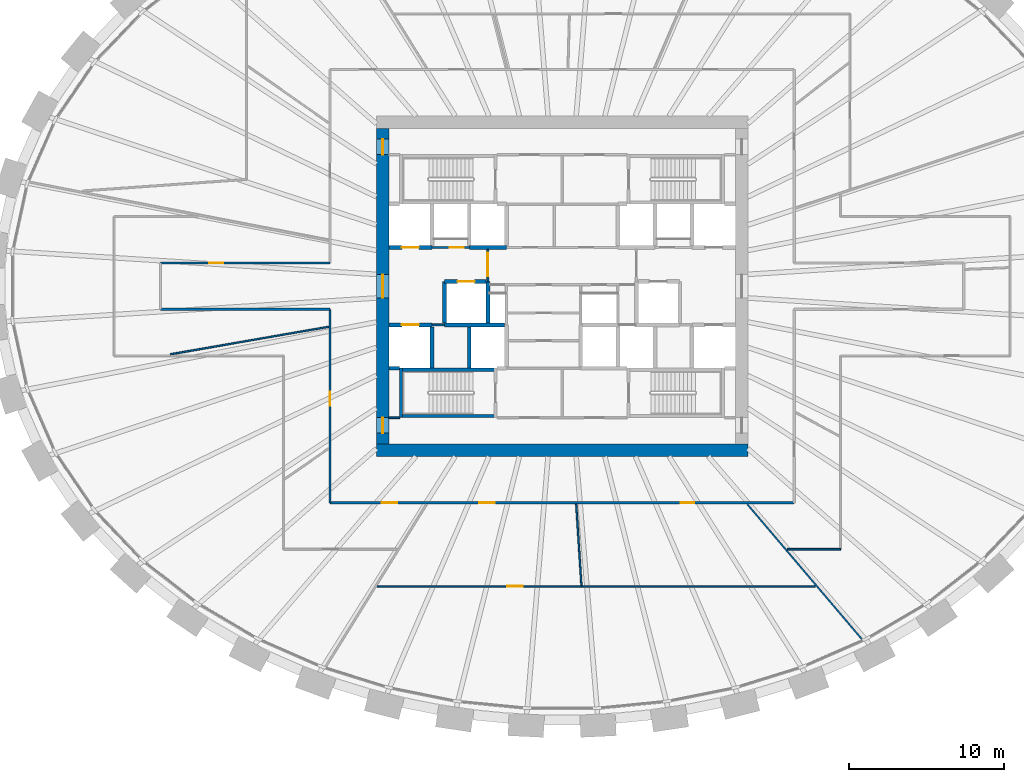
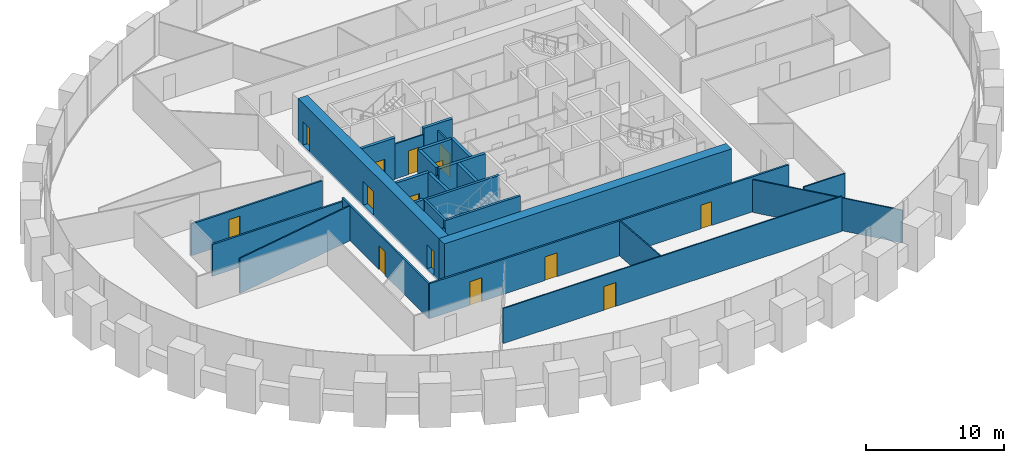
# One storey, part 6 of 11: 28 walls, 14 doors, 14 openings.
"""IFC4 building model written with IfcOpenShell, lengths in metres."""

import ifcopenshell
import ifcopenshell.guid

model = None  # the IFC model being written
_history = None  # IfcOwnerHistory: only IFC2X3 demands one
_inside = {}  # id of a spatial element -> (the spatial element, [elements in it])
_under = {}  # id of a project, library or spatial element -> (it, [spatial elements below it])
_declared = {}  # id of a project -> (the project, [libraries it declares])
_typed = {}  # id of a type object -> (the type object, [elements of that type])
_made_of = {}  # id of a material, layer set ... -> (it, [elements and type objects made of it])


def new_model(schema):
    """Start an empty IFC model of exactly this schema.

    Asked for "IFC4X3", IfcOpenShell would pick the latest addendum, in which some entities
    have other attributes; the version numbers below select the first issue.
    IFC2X3 requires an IfcOwnerHistory on every rooted entity: one is made here for all.
    """
    global model, _history
    if schema == "IFC4X3":
        model = ifcopenshell.file(schema_version=(4, 3, 0, 0))
    else:
        model = ifcopenshell.file(schema=schema)
    _inside.clear()
    _under.clear()
    _declared.clear()
    _typed.clear()
    _made_of.clear()
    _history = None
    if model.schema == "IFC2X3":
        org = make("IfcOrganization", Name="unknown")
        user = make(
            "IfcPersonAndOrganization",
            ThePerson=make("IfcPerson", FamilyName="unknown"),
            TheOrganization=org,
        )
        app = make(
            "IfcApplication",
            ApplicationDeveloper=org,
            Version="unknown",
            ApplicationFullName="unknown",
            ApplicationIdentifier="unknown",
        )
        _history = make(
            "IfcOwnerHistory",
            OwningUser=user,
            OwningApplication=app,
            ChangeAction="ADDED",
            CreationDate=0,
        )
    return model


def make(cls, **values):
    """One entity of the class cls with the attributes given. An attribute that is None is left unset."""
    return model.create_entity(
        cls, **{name: value for name, value in values.items() if value is not None}
    )


def rooted(cls, **values):
    """An entity with a GlobalId (a new one), such as an element, a storey or a relation."""
    return make(cls, GlobalId=ifcopenshell.guid.new(), OwnerHistory=_history, **values)


def si_unit(unit_type, name, prefix=None):
    """IfcSIUnit, for example si_unit("LENGTHUNIT", "METRE", prefix="MILLI")."""
    return make("IfcSIUnit", UnitType=unit_type, Prefix=prefix, Name=name)


def assignment(units):
    """IfcUnitAssignment: the units of a project."""
    return None if units is None else make("IfcUnitAssignment", Units=units)


def point(xyz):
    """IfcCartesianPoint."""
    return None if xyz is None else make("IfcCartesianPoint", Coordinates=xyz)


def direction(xyz):
    """IfcDirection."""
    return None if xyz is None else make("IfcDirection", DirectionRatios=xyz)


def frame(location, z_axis=None, x_axis=None):
    """IfcAxis2Placement3D, a coordinate frame: its origin and axes. An axis left out is left unset."""
    return make(
        "IfcAxis2Placement3D",
        Location=point(location),
        Axis=direction(z_axis),
        RefDirection=direction(x_axis),
    )


def frame_2d(location, x_axis=None):
    """IfcAxis2Placement2D, a coordinate frame in the plane: its origin and x axis."""
    return make(
        "IfcAxis2Placement2D", Location=point(location), RefDirection=direction(x_axis)
    )


def origin():
    """The frame at (0, 0, 0) with its axes left unset."""
    return frame((0.0, 0.0, 0.0))


def place(relative_to, where):
    """IfcLocalPlacement: puts the frame where relative to a parent placement (None: the world)."""
    return make(
        "IfcLocalPlacement", PlacementRelTo=relative_to, RelativePlacement=where
    )


def context(
    kind, dimensions, precision=None, world=None, true_north=None, identifier=None
):
    """IfcGeometricRepresentationContext, for example the 3D "Model" context."""
    return make(
        "IfcGeometricRepresentationContext",
        ContextIdentifier=identifier,
        ContextType=kind,
        CoordinateSpaceDimension=dimensions,
        Precision=precision,
        WorldCoordinateSystem=world,
        TrueNorth=true_north,
    )


def subcontext(parent, identifier, kind, view, scale=None):
    """IfcGeometricRepresentationSubContext, for example "Body" below "Model"."""
    return make(
        "IfcGeometricRepresentationSubContext",
        ContextIdentifier=identifier,
        ContextType=kind,
        ParentContext=parent,
        TargetScale=scale,
        TargetView=view,
    )


def project(units=None, contexts=None):
    """IfcProject with its units and contexts."""
    return rooted(
        "IfcProject",
        Name="project",
        RepresentationContexts=contexts,
        UnitsInContext=assignment(units),
    )


def spatial(cls, under=None, at=None, **own):
    """A site, building, storey or space (cls), placed at a placement, below another one or the project."""
    s = rooted(cls, ObjectPlacement=at, **own)
    if under is not None:
        _under.setdefault(under.id(), (under, []))[1].append(s)
    return s


def profile(cls, at=None, kind="AREA", **sizes):
    """A parametric profile (cls). Its sizes go by their IFC names, for example OverallWidth=200.0."""
    return make(cls, ProfileType=kind, Position=at, **sizes)


def rectangle(**sizes):
    """IfcRectangleProfileDef."""
    return profile("IfcRectangleProfileDef", **sizes)


def extrude(swept, where, along, depth):
    """IfcExtrudedAreaSolid: the profile swept, set in the frame where, extruded along a direction by depth."""
    return make(
        "IfcExtrudedAreaSolid",
        SweptArea=swept,
        Position=where,
        ExtrudedDirection=direction(along),
        Depth=depth,
    )


def shape(context_of_items, identifier, shape_type, items):
    """IfcShapeRepresentation: the items that make up one representation, for example the "Body"."""
    return make(
        "IfcShapeRepresentation",
        ContextOfItems=context_of_items,
        RepresentationIdentifier=identifier,
        RepresentationType=shape_type,
        Items=items,
    )


def source(mapping_origin, context_of_items, identifier, shape_type, items):
    """IfcRepresentationMap: a shape defined once, which mapped items show again and again."""
    return make(
        "IfcRepresentationMap",
        MappingOrigin=mapping_origin,
        MappedRepresentation=shape(context_of_items, identifier, shape_type, items),
    )


def transform(
    local_origin,
    x_axis=None,
    y_axis=None,
    z_axis=None,
    scale=None,
    scale2=None,
    scale3=None,
    uniform=True,
):
    """IfcCartesianTransformationOperator3D, or its non-uniform kind. x_axis, y_axis, z_axis: its Axis1, 2, 3."""
    if uniform:
        return make(
            "IfcCartesianTransformationOperator3D",
            Axis1=direction(x_axis),
            Axis2=direction(y_axis),
            LocalOrigin=point(local_origin),
            Scale=scale,
            Axis3=direction(z_axis),
        )
    return make(
        "IfcCartesianTransformationOperator3DnonUniform",
        Axis1=direction(x_axis),
        Axis2=direction(y_axis),
        LocalOrigin=point(local_origin),
        Scale=scale,
        Axis3=direction(z_axis),
        Scale2=scale2,
        Scale3=scale3,
    )


def mapped(mapping_source, mapping_target):
    """IfcMappedItem: shows the shape of a source again, moved by a transform."""
    return make(
        "IfcMappedItem", MappingSource=mapping_source, MappingTarget=mapping_target
    )


def material(Name=None, Category=None):
    """IfcMaterial."""
    return make("IfcMaterial", Name=Name, Category=Category)


def layer(
    of_material, thickness, ventilated=None, Name=None, Category=None, Priority=None
):
    """IfcMaterialLayer: one layer of a wall or slab, of a material (None: an air gap)."""
    return make(
        "IfcMaterialLayer",
        Material=of_material,
        LayerThickness=thickness,
        IsVentilated=ventilated,
        Name=Name,
        Category=Category,
        Priority=Priority,
    )


def layer_set(layers, Name=None):
    """IfcMaterialLayerSet."""
    return make("IfcMaterialLayerSet", MaterialLayers=layers, LayerSetName=Name)


def made_of(thing, what):
    """Note that an element or type object is made of a material, layer set ...; save() writes the relation."""
    if what is not None:
        _made_of.setdefault(what.id(), (what, []))[1].append(thing)
    return thing


def type_object(cls, material=None, **own):
    """A type object (cls), such as IfcWallType, which elements share."""
    return made_of(rooted(cls, **own), material)


def element(
    cls,
    number,
    at=None,
    inside=None,
    cuts=None,
    type_object=None,
    material=None,
    context=None,
    identifier="Body",
    shape_type=None,
    held_by="IfcProductDefinitionShape",
    body=None,
    shapes=None,
    **own,
):
    """One element of the class cls, such as IfcWall. Its Tag is "e" and its number.

    at: its placement. inside: the storey or other place that contains it. cuts: it is an
    opening in that element (IfcRelVoidsElement). A single representation is given by context,
    identifier, shape_type and body (its items); several are given by shapes. held_by: the class
    of the entity that holds the representations. save() writes the other relations.
    """
    e = rooted(cls, Tag="e%d" % number, ObjectPlacement=at, **own)
    if body is not None:
        shapes = [shape(context, identifier, shape_type, body)]
    if shapes is not None:
        e.Representation = make(held_by, Representations=shapes)
    if inside is not None:
        _inside.setdefault(inside.id(), (inside, []))[1].append(e)
    if cuts is not None:
        rooted(
            "IfcRelVoidsElement", RelatingBuildingElement=cuts, RelatedOpeningElement=e
        )
    if type_object is not None:
        _typed.setdefault(type_object.id(), (type_object, []))[1].append(e)
    return made_of(e, material)


def fill(opening, filler):
    """IfcRelFillsElement: the door or window that sits in an opening."""
    return rooted(
        "IfcRelFillsElement",
        RelatingOpeningElement=opening,
        RelatedBuildingElement=filler,
    )


def aggregate(whole, parts):
    """IfcRelAggregates: a whole, such as a stair, and the parts it consists of."""
    return rooted("IfcRelAggregates", RelatingObject=whole, RelatedObjects=parts)


def save(model, path):
    """Write the relations noted so far, then the file.

    IfcRelAggregates (storeys below a building ...), IfcRelContainedInSpatialStructure (elements
    in a storey), IfcRelDefinesByType, IfcRelAssociatesMaterial and IfcRelDeclares: one each for
    every whole, place, type object, material and project.
    """
    for whole, parts in _under.values():
        aggregate(whole, parts)
    for where, things in _inside.values():
        rooted(
            "IfcRelContainedInSpatialStructure",
            RelatedElements=things,
            RelatingStructure=where,
        )
    for kind, things in _typed.values():
        rooted("IfcRelDefinesByType", RelatedObjects=things, RelatingType=kind)
    for what, things in _made_of.values():
        rooted("IfcRelAssociatesMaterial", RelatedObjects=things, RelatingMaterial=what)
    for by, libraries in _declared.values():
        rooted("IfcRelDeclares", RelatingContext=by, RelatedDefinitions=libraries)
    model.write(path)


model = new_model("IFC4")

# Units and contexts
model_context = context("Model", 3, precision=1e-05, world=origin(), true_north=direction((0.0, 1.0)))
body_context = subcontext(model_context, "Body", "Model", "MODEL_VIEW")
ifc_project = project(units=[si_unit("LENGTHUNIT", "METRE"), si_unit("AREAUNIT", "SQUARE_METRE"), si_unit("VOLUMEUNIT", "CUBIC_METRE"), si_unit("PLANEANGLEUNIT", "RADIAN"), si_unit("MASSUNIT", "GRAM", prefix="KILO")], contexts=[model_context])

# Site, building, storey
site_placement = place(None, origin())
site = spatial("IfcSite", under=ifc_project, at=site_placement, CompositionType="ELEMENT")
building_placement = place(site_placement, origin())
building = spatial("IfcBuilding", under=site, at=building_placement, Name="Embergate Tower", CompositionType="ELEMENT")
storey_placement = place(building_placement, frame((0.0, 0.0, 187.199951171875)))
storey = spatial("IfcBuildingStorey", under=building, at=storey_placement, Name="L42", CompositionType="ELEMENT", Elevation=187.199951171875)

# Wall
ifc_material_1 = material(Name="Concrete C70", Category="concrete")
ifc_layer_1 = layer(ifc_material_1, 0.800048828125)
ifc_layer_set_1 = layer_set([ifc_layer_1], Name="Concrete C70")
wall_type_1 = type_object("IfcWallType", Name="Core outer wall C70 800", PredefinedType="SHEAR", material=ifc_layer_set_1)
shared_shape_1 = source(origin(), body_context, "Body", "SweptSolid", [
    extrude(rectangle(XDim=24.0, YDim=0.800048828125, at=frame_2d((12.0, 0.0))), origin(), (0.0, 0.0, 1.0), 3.89990234375),
])
wall_1_placement = place(storey_placement, frame((-12.0, -10.60009765625, -0.199951171875), z_axis=(0.0, 0.0, 1.0), x_axis=(1.0, 0.0, 0.0)))
element("IfcWall", 1, at=wall_1_placement, inside=storey, type_object=wall_type_1, Name="CW-L42-S", PredefinedType="SHEAR", context=body_context, shape_type="MappedRepresentation", body=[
    mapped(shared_shape_1, transform((0.0, 0.0, 0.0))),
])

# Wall, openings, doors
shared_shape_2 = source(origin(), body_context, "Body", "SweptSolid", [
    extrude(rectangle(XDim=20.39990234375, YDim=0.800048828125, at=frame_2d((10.199951171875, 0.0))), origin(), (0.0, 0.0, 1.0), 3.89990234375),
])
wall_2_placement = place(storey_placement, frame((-11.60009765625, -10.199951171875, -0.199951171875), z_axis=(0.0, 0.0, 1.0), x_axis=(0.0, 1.0, 0.0)))
wall_2 = element("IfcWall", 2, at=wall_2_placement, inside=storey, type_object=wall_type_1, Name="CW-L42-W", PredefinedType="SHEAR", context=body_context, shape_type="MappedRepresentation", body=[
    mapped(shared_shape_2, transform((0.0, 0.0, 0.0))),
])
shared_shape_3 = source(origin(), body_context, "Body", "SweptSolid", [
    extrude(rectangle(XDim=1.0, YDim=2.10009765625, at=frame_2d((0.5, 1.050048828125))), frame((0.0, 0.409912109375, 0.0), z_axis=(0.0, -1.0, 0.0), x_axis=(1.0, 0.0, 0.0)), (0.0, 0.0, 1.0), 0.820068359375),
])
opening_1_placement = place(wall_2_placement, frame((18.699951171875, 0.0, 0.199951171875)))
opening_1 = element("IfcOpeningElement", 3, at=opening_1_placement, cuts=wall_2, Name="Opening IF-1d", PredefinedType="OPENING", context=body_context, shape_type="MappedRepresentation", body=[
    mapped(shared_shape_3, transform((0.0, 0.0, 0.0))),
])
opening_2_placement = place(wall_2_placement, frame((0.699951171875, 0.0, 0.199951171875)))
opening_2 = element("IfcOpeningElement", 4, at=opening_2_placement, cuts=wall_2, Name="Opening IF-1d", PredefinedType="OPENING", context=body_context, shape_type="MappedRepresentation", body=[
    mapped(shared_shape_3, transform((0.0, 0.0, 0.0))),
])
shared_shape_4 = source(origin(), body_context, "Body", "SweptSolid", [
    extrude(rectangle(XDim=1.5, YDim=2.10009765625, at=frame_2d((0.75, 1.050048828125))), frame((0.0, 0.409912109375, 0.0), z_axis=(0.0, -1.0, 0.0), x_axis=(1.0, 0.0, 0.0)), (0.0, 0.0, 1.0), 0.820068359375),
])
opening_3_placement = place(wall_2_placement, frame((9.449951171875, 0.0, 0.199951171875)))
opening_3 = element("IfcOpeningElement", 5, at=opening_3_placement, cuts=wall_2, Name="Opening IF-3", PredefinedType="OPENING", context=body_context, shape_type="MappedRepresentation", body=[
    mapped(shared_shape_4, transform((0.0, 0.0, 0.0))),
])
ifc_material_2 = material(Name="Lobby fire door pair 1500")
door_type_1 = type_object("IfcDoorType", Name="Lobby fire door pair 1500", OperationType="DOUBLE_DOOR_SINGLE_SWING", PredefinedType="DOOR", material=ifc_material_2)
shared_shape_5 = source(origin(), body_context, "Body", "SweptSolid", [
    extrude(rectangle(XDim=1.5, YDim=2.10009765625, at=frame_2d((0.75, 1.050048828125))), frame((0.0, 0.02490234375, 0.0), z_axis=(0.0, -1.0, 0.0), x_axis=(1.0, 0.0, 0.0)), (0.0, 0.0, 1.0), 0.050048828125),
])
door_1_placement = place(opening_3_placement, origin())
door_1 = element("IfcDoor", 6, at=door_1_placement, inside=storey, type_object=door_type_1, Name="IF-3 door", OperationType="DOUBLE_DOOR_SINGLE_SWING", OverallHeight=2.10009765625, OverallWidth=1.5, PredefinedType="DOOR", context=body_context, shape_type="MappedRepresentation", body=[
    mapped(shared_shape_5, transform((0.0, 0.0, 0.0))),
])
fill(opening_3, door_1)
ifc_material_3 = material(Name="Escape fire door 1000")
door_type_2 = type_object("IfcDoorType", Name="Escape fire door 1000", OperationType="SINGLE_SWING_LEFT", PredefinedType="DOOR", material=ifc_material_3)
shared_shape_6 = source(origin(), body_context, "Body", "SweptSolid", [
    extrude(rectangle(XDim=1.0, YDim=2.10009765625, at=frame_2d((0.5, 1.050048828125))), frame((0.0, 0.02490234375, 0.0), z_axis=(0.0, -1.0, 0.0), x_axis=(1.0, 0.0, 0.0)), (0.0, 0.0, 1.0), 0.050048828125),
])
door_2_placement = place(opening_1_placement, origin())
door_2 = element("IfcDoor", 7, at=door_2_placement, inside=storey, type_object=door_type_2, Name="IF-1 door", OperationType="SINGLE_SWING_RIGHT", OverallHeight=2.10009765625, OverallWidth=1.0, PredefinedType="DOOR", context=body_context, shape_type="MappedRepresentation", body=[
    mapped(shared_shape_6, transform((0.0, 0.0, 0.0))),
])
fill(opening_1, door_2)
door_3_placement = place(opening_2_placement, origin())
door_3 = element("IfcDoor", 8, at=door_3_placement, inside=storey, type_object=door_type_2, Name="IF-1 door", OperationType="SINGLE_SWING_LEFT", OverallHeight=2.10009765625, OverallWidth=1.0, PredefinedType="DOOR", context=body_context, shape_type="MappedRepresentation", body=[
    mapped(shared_shape_6, transform((0.0, 0.0, 0.0))),
])
fill(opening_2, door_3)

# Wall
ifc_material_4 = material(Name="Concrete C50", Category="concrete")
ifc_layer_2 = layer(ifc_material_4, 0.25)
ifc_layer_set_2 = layer_set([ifc_layer_2], Name="Concrete C50")
wall_type_2 = type_object("IfcWallType", Name="Hoistway wall reinforced concrete 250", PredefinedType="SHEAR", material=ifc_layer_set_2)
shared_shape_7 = source(origin(), body_context, "Body", "SweptSolid", [
    extrude(rectangle(XDim=2.675048828125, YDim=0.25, at=frame_2d((1.33740234375, 0.0))), origin(), (0.0, 0.0, 1.0), 3.699951171875),
])
wall_3_placement = place(storey_placement, frame((-4.800048828125, 0.300048828125, 0.0), z_axis=(0.0, 0.0, 1.0), x_axis=(0.0, -1.0, 0.0)))
element("IfcWall", 9, at=wall_3_placement, inside=storey, type_object=wall_type_2, Name="HW-1 wall", PredefinedType="SHEAR", context=body_context, shape_type="MappedRepresentation", body=[
    mapped(shared_shape_7, transform((0.0, 0.0, 0.0))),
])

# Wall, opening, door
wall_4_placement = place(storey_placement, frame((-4.925048828125, 0.300048828125, 0.0), z_axis=(0.0, 0.0, 1.0), x_axis=(-1.0, 0.0, 0.0)))
wall_4 = element("IfcWall", 10, at=wall_4_placement, inside=storey, type_object=wall_type_2, Name="HW-1 wall", PredefinedType="SHEAR", context=body_context, shape_type="MappedRepresentation", body=[
    mapped(shared_shape_7, transform((0.0, 0.0, 0.0))),
])
shared_shape_8 = source(origin(), body_context, "Body", "SweptSolid", [
    extrude(rectangle(XDim=1.10009765625, YDim=2.10009765625, at=frame_2d((0.550048828125, 1.050048828125))), frame((0.0, 0.135009765625, 0.0), z_axis=(0.0, -1.0, 0.0), x_axis=(1.0, 0.0, 0.0)), (0.0, 0.0, 1.0), 0.27001953125),
])
opening_4_placement = place(wall_4_placement, frame((0.72509765625, 0.0, 0.0)))
opening_4 = element("IfcOpeningElement", 11, at=opening_4_placement, cuts=wall_4, Name="Opening LD", PredefinedType="OPENING", context=body_context, shape_type="MappedRepresentation", body=[
    mapped(shared_shape_8, transform((0.0, 0.0, 0.0))),
])
ifc_material_5 = material(Name="Landing door sliding 1100")
door_type_3 = type_object("IfcDoorType", Name="Landing door sliding 1100", OperationType="SLIDING_TO_LEFT", PredefinedType="DOOR", material=ifc_material_5)
shared_shape_9 = source(origin(), body_context, "Body", "SweptSolid", [
    extrude(rectangle(XDim=1.10009765625, YDim=2.10009765625, at=frame_2d((0.550048828125, 1.050048828125))), frame((0.0, 0.02490234375, 0.0), z_axis=(0.0, -1.0, 0.0), x_axis=(1.0, 0.0, 0.0)), (0.0, 0.0, 1.0), 0.050048828125),
])
door_4_placement = place(opening_4_placement, origin())
door_4 = element("IfcDoor", 12, at=door_4_placement, inside=storey, type_object=door_type_3, Name="LD door", OperationType="SLIDING_TO_LEFT", OverallHeight=2.10009765625, OverallWidth=1.10009765625, PredefinedType="DOOR", context=body_context, shape_type="MappedRepresentation", body=[
    mapped(shared_shape_9, transform((0.0, 0.0, 0.0))),
])
fill(opening_4, door_4)

# Walls
wall_5_placement = place(storey_placement, frame((-7.60009765625, 0.300048828125, 0.0), z_axis=(0.0, 0.0, 1.0), x_axis=(0.0, -1.0, 0.0)))
element("IfcWall", 13, at=wall_5_placement, inside=storey, type_object=wall_type_2, Name="HW-1 wall", PredefinedType="SHEAR", context=body_context, shape_type="MappedRepresentation", body=[
    mapped(shared_shape_7, transform((0.0, 0.0, 0.0))),
])
ifc_layer_3 = layer(ifc_material_4, 0.199951171875)
ifc_layer_set_3 = layer_set([ifc_layer_3], Name="Concrete C50")
wall_type_3 = type_object("IfcWallType", Name="Stair enclosure wall reinforced concrete 250", PredefinedType="SHEAR", material=ifc_layer_set_3)
shared_shape_10 = source(origin(), body_context, "Body", "SweptSolid", [
    extrude(rectangle(XDim=6.300048828125, YDim=0.199951171875, at=frame_2d((3.14990234375, 0.0))), origin(), (0.0, 0.0, 1.0), 3.699951171875),
])
for number, where, z_axis, x_axis, name in (
    (14, (-10.5, -5.39990234375, 0.0), (0.0, 0.0, 1.0), (1.0, 0.0, 0.0), "SE-1 wall"),
    (15, (-10.5, -8.39990234375, 0.0), (0.0, 0.0, 1.0), (1.0, 0.0, 0.0), "SE-1 wall"),
):
    element("IfcWall", number, at=place(storey_placement, frame(where, z_axis=z_axis, x_axis=x_axis)), inside=storey, type_object=wall_type_3, Name=name, PredefinedType="SHEAR", context=body_context, shape_type="MappedRepresentation", body=[
        mapped(shared_shape_10, transform((0.0, 0.0, 0.0))),
    ])

# Wall, opening, door
ifc_material_6 = material(Name="Core partition blockwork 120")
ifc_layer_4 = layer(ifc_material_6, 0.1201171875)
ifc_layer_set_4 = layer_set([ifc_layer_4], Name="Core partition blockwork 120")
wall_type_4 = type_object("IfcWallType", Name="Core partition blockwork 120", PredefinedType="PARTITIONING", material=ifc_layer_set_4)
shared_shape_11 = source(origin(), body_context, "Body", "SweptSolid", [
    extrude(rectangle(XDim=2.074951171875, YDim=0.1201171875, at=frame_2d((1.03759765625, 0.0))), origin(), (0.0, 0.0, 1.0), 3.10009765625),
])
wall_6_placement = place(storey_placement, frame((-4.800048828125, 2.375, 0.0), z_axis=(0.0, 0.0, 1.0), x_axis=(0.0, -1.0, 0.0)))
wall_6 = element("IfcWall", 16, at=wall_6_placement, inside=storey, type_object=wall_type_4, Name="IP-3 wall", PredefinedType="PARTITIONING", context=body_context, shape_type="MappedRepresentation", body=[
    mapped(shared_shape_11, transform((0.0, 0.0, 0.0))),
])
shared_shape_12 = source(origin(), body_context, "Body", "SweptSolid", [
    extrude(rectangle(XDim=1.5, YDim=2.10009765625, at=frame_2d((0.75, 1.050048828125))), frame((0.0, 0.070068359375, 0.0), z_axis=(0.0, -1.0, 0.0), x_axis=(1.0, 0.0, 0.0)), (0.0, 0.0, 1.0), 0.14013671875),
])
opening_5_placement = place(wall_6_placement, frame((0.22509765625, 0.0, 0.0)))
opening_5 = element("IfcOpeningElement", 17, at=opening_5_placement, cuts=wall_6, Name="Opening IF-3", PredefinedType="OPENING", context=body_context, shape_type="MappedRepresentation", body=[
    mapped(shared_shape_12, transform((0.0, 0.0, 0.0))),
])
door_5_placement = place(opening_5_placement, origin())
door_5 = element("IfcDoor", 18, at=door_5_placement, inside=storey, type_object=door_type_1, Name="IF-3 door", OperationType="DOUBLE_DOOR_SINGLE_SWING", OverallHeight=2.10009765625, OverallWidth=1.5, PredefinedType="DOOR", context=body_context, shape_type="MappedRepresentation", body=[
    mapped(shared_shape_5, transform((0.0, 0.0, 0.0))),
])
fill(opening_5, door_5)

# Walls
shared_shape_13 = source(origin(), body_context, "Body", "SweptSolid", [
    extrude(rectangle(XDim=2.39990234375, YDim=0.25, at=frame_2d((1.199951171875, 0.0))), origin(), (0.0, 0.0, 1.0), 3.699951171875),
])
wall_7_placement = place(storey_placement, frame((-6.0, 2.5, 0.0), z_axis=(0.0, 0.0, 1.0), x_axis=(1.0, 0.0, 0.0)))
element("IfcWall", 19, at=wall_7_placement, inside=storey, type_object=wall_type_2, Name="HW-1 wall", PredefinedType="SHEAR", context=body_context, shape_type="MappedRepresentation", body=[
    mapped(shared_shape_13, transform((0.0, 0.0, 0.0))),
])
ifc_material_7 = material(Name="Corridor wall dry-lined 150")
ifc_layer_5 = layer(ifc_material_7, 0.14990234375)
ifc_layer_set_5 = layer_set([ifc_layer_5], Name="Corridor wall dry-lined 150")
wall_type_5 = type_object("IfcWallType", Name="Corridor wall dry-lined 150", PredefinedType="PARTITIONING", material=ifc_layer_set_5)
shared_shape_14 = source(origin(), body_context, "Body", "SweptSolid", [
    extrude(rectangle(XDim=10.949951171875, YDim=0.14990234375, at=frame_2d((5.47509765625, 0.0))), origin(), (0.0, 0.0, 1.0), 2.800048828125),
])
wall_8_placement = place(storey_placement, frame((-15.0, -1.5, 0.0), z_axis=(0.0, 0.0, 1.0), x_axis=(-1.0, 0.0, 0.0)))
element("IfcWall", 20, at=wall_8_placement, inside=storey, type_object=wall_type_5, Name="IP-2 wall", PredefinedType="PARTITIONING", context=body_context, shape_type="MappedRepresentation", body=[
    mapped(shared_shape_14, transform((0.0, 0.0, 0.0))),
])

# Wall, opening, door
wall_9_placement = place(storey_placement, frame((-25.949951171875, 1.5, 0.0), z_axis=(0.0, 0.0, 1.0), x_axis=(1.0, 0.0, 0.0)))
wall_9 = element("IfcWall", 21, at=wall_9_placement, inside=storey, type_object=wall_type_5, Name="IP-2 wall", PredefinedType="PARTITIONING", context=body_context, shape_type="MappedRepresentation", body=[
    mapped(shared_shape_14, transform((0.0, 0.0, 0.0))),
])
shared_shape_15 = source(origin(), body_context, "Body", "SweptSolid", [
    extrude(rectangle(XDim=0.89990234375, YDim=2.10009765625, at=frame_2d((0.449951171875, 1.050048828125))), frame((0.0, 0.0849609375, 0.0), z_axis=(0.0, -1.0, 0.0), x_axis=(1.0, 0.0, 0.0)), (0.0, 0.0, 1.0), 0.169921875),
])
opening_6_placement = place(wall_9_placement, frame((3.135009765625, 0.0, 0.0)))
opening_6 = element("IfcOpeningElement", 22, at=opening_6_placement, cuts=wall_9, Name="Opening IF-1c", PredefinedType="OPENING", context=body_context, shape_type="MappedRepresentation", body=[
    mapped(shared_shape_15, transform((0.0, 0.0, 0.0))),
])
ifc_material_8 = material(Name="Escape fire door 900")
door_type_4 = type_object("IfcDoorType", Name="Escape fire door 900", OperationType="SINGLE_SWING_LEFT", PredefinedType="DOOR", material=ifc_material_8)
shared_shape_16 = source(origin(), body_context, "Body", "SweptSolid", [
    extrude(rectangle(XDim=0.89990234375, YDim=2.10009765625, at=frame_2d((0.449951171875, 1.050048828125))), frame((0.0, 0.02490234375, 0.0), z_axis=(0.0, -1.0, 0.0), x_axis=(1.0, 0.0, 0.0)), (0.0, 0.0, 1.0), 0.050048828125),
])
door_6_placement = place(opening_6_placement, origin())
door_6 = element("IfcDoor", 23, at=door_6_placement, inside=storey, type_object=door_type_4, Name="IF-1 door", OperationType="SINGLE_SWING_RIGHT", OverallHeight=2.10009765625, OverallWidth=0.89990234375, PredefinedType="DOOR", context=body_context, shape_type="MappedRepresentation", body=[
    mapped(shared_shape_16, transform((0.0, 0.0, 0.0))),
])
fill(opening_6, door_6)

shared_shape_17 = source(origin(), body_context, "Body", "SweptSolid", [
    extrude(rectangle(XDim=2.800048828125, YDim=0.25, at=frame_2d((1.39990234375, 0.0))), origin(), (0.0, 0.0, 1.0), 3.699951171875),
])
wall_10_placement = place(storey_placement, frame((-11.199951171875, 2.5, 0.0), z_axis=(0.0, 0.0, 1.0), x_axis=(1.0, 0.0, 0.0)))
wall_10 = element("IfcWall", 24, at=wall_10_placement, inside=storey, type_object=wall_type_2, Name="HW-1 wall", PredefinedType="SHEAR", context=body_context, shape_type="MappedRepresentation", body=[
    mapped(shared_shape_17, transform((0.0, 0.0, 0.0))),
])
opening_7_placement = place(wall_10_placement, frame((0.85009765625, 0.0, 0.0)))
opening_7 = element("IfcOpeningElement", 25, at=opening_7_placement, cuts=wall_10, Name="Opening LD", PredefinedType="OPENING", context=body_context, shape_type="MappedRepresentation", body=[
    mapped(shared_shape_8, transform((0.0, 0.0, 0.0))),
])
door_7_placement = place(opening_7_placement, origin())
door_7 = element("IfcDoor", 26, at=door_7_placement, inside=storey, type_object=door_type_3, Name="LD door", OperationType="SLIDING_TO_LEFT", OverallHeight=2.10009765625, OverallWidth=1.10009765625, PredefinedType="DOOR", context=body_context, shape_type="MappedRepresentation", body=[
    mapped(shared_shape_9, transform((0.0, 0.0, 0.0))),
])
fill(opening_7, door_7)

wall_11_placement = place(storey_placement, frame((-8.39990234375, -2.5, 0.0), z_axis=(0.0, 0.0, 1.0), x_axis=(-1.0, 0.0, 0.0)))
wall_11 = element("IfcWall", 27, at=wall_11_placement, inside=storey, type_object=wall_type_2, Name="HW-1 wall", PredefinedType="SHEAR", context=body_context, shape_type="MappedRepresentation", body=[
    mapped(shared_shape_17, transform((0.0, 0.0, 0.0))),
])
opening_8_placement = place(wall_11_placement, frame((0.85009765625, 0.0, 0.0)))
opening_8 = element("IfcOpeningElement", 28, at=opening_8_placement, cuts=wall_11, Name="Opening LD", PredefinedType="OPENING", context=body_context, shape_type="MappedRepresentation", body=[
    mapped(shared_shape_8, transform((0.0, 0.0, 0.0))),
])
door_8_placement = place(opening_8_placement, origin())
door_8 = element("IfcDoor", 29, at=door_8_placement, inside=storey, type_object=door_type_3, Name="LD door", OperationType="SLIDING_TO_RIGHT", OverallHeight=2.10009765625, OverallWidth=1.10009765625, PredefinedType="DOOR", context=body_context, shape_type="MappedRepresentation", body=[
    mapped(shared_shape_9, transform((0.0, 0.0, 0.0))),
])
fill(opening_8, door_8)

shared_shape_18 = source(origin(), body_context, "Body", "SweptSolid", [
    extrude(rectangle(XDim=2.39990234375, YDim=0.1201171875, at=frame_2d((1.199951171875, 0.0))), origin(), (0.0, 0.0, 1.0), 3.10009765625),
])
wall_12_placement = place(storey_placement, frame((-8.39990234375, 2.5, 0.0), z_axis=(0.0, 0.0, 1.0), x_axis=(1.0, 0.0, 0.0)))
wall_12 = element("IfcWall", 30, at=wall_12_placement, inside=storey, type_object=wall_type_4, Name="IP-3 wall", PredefinedType="PARTITIONING", context=body_context, shape_type="MappedRepresentation", body=[
    mapped(shared_shape_18, transform((0.0, 0.0, 0.0))),
])
shared_shape_19 = source(origin(), body_context, "Body", "SweptSolid", [
    extrude(rectangle(XDim=0.89990234375, YDim=2.10009765625, at=frame_2d((0.449951171875, 1.050048828125))), frame((0.0, 0.070068359375, 0.0), z_axis=(0.0, -1.0, 0.0), x_axis=(1.0, 0.0, 0.0)), (0.0, 0.0, 1.0), 0.14013671875),
])
opening_9_placement = place(wall_12_placement, frame((1.14990234375, 0.0, 0.0)))
opening_9 = element("IfcOpeningElement", 31, at=opening_9_placement, cuts=wall_12, Name="Opening ID-1", PredefinedType="OPENING", context=body_context, shape_type="MappedRepresentation", body=[
    mapped(shared_shape_19, transform((0.0, 0.0, 0.0))),
])
ifc_material_9 = material(Name="Interior door 900")
door_type_5 = type_object("IfcDoorType", Name="Interior door 900", OperationType="SINGLE_SWING_LEFT", PredefinedType="DOOR", material=ifc_material_9)
door_9_placement = place(opening_9_placement, origin())
door_9 = element("IfcDoor", 32, at=door_9_placement, inside=storey, type_object=door_type_5, Name="ID-1 door", OperationType="SINGLE_SWING_LEFT", OverallHeight=2.10009765625, OverallWidth=0.89990234375, PredefinedType="DOOR", context=body_context, shape_type="MappedRepresentation", body=[
    mapped(shared_shape_16, transform((0.0, 0.0, 0.0))),
])
fill(opening_9, door_9)

# Walls
shared_shape_20 = source(origin(), body_context, "Body", "SweptSolid", [
    extrude(rectangle(XDim=3.872802734375, YDim=0.25, at=frame_2d((1.9365234375, 0.0))), origin(), (0.0, 0.0, 1.0), 3.699951171875),
])
wall_13_placement = place(storey_placement, frame((-3.72509765625, -2.5, 0.0), z_axis=(0.0, 0.0, 1.0), x_axis=(-1.0, 0.0, 0.0)))
element("IfcWall", 33, at=wall_13_placement, inside=storey, type_object=wall_type_2, Name="HW-1 wall", PredefinedType="SHEAR", context=body_context, shape_type="MappedRepresentation", body=[
    mapped(shared_shape_20, transform((0.0, 0.0, 0.0))),
])
shared_shape_21 = source(origin(), body_context, "Body", "SweptSolid", [
    extrude(rectangle(XDim=3.196044921875, YDim=0.199951171875, at=frame_2d((1.59814453125, 0.0))), origin(), (0.0, 0.0, 1.0), 3.699951171875),
])
wall_14_placement = place(storey_placement, frame((-10.39990234375, -5.302001953125, 0.0), z_axis=(0.0, 0.0, 1.0), x_axis=(0.0, -1.0, 0.0)))
element("IfcWall", 34, at=wall_14_placement, inside=storey, type_object=wall_type_3, Name="SE-1 wall", PredefinedType="SHEAR", context=body_context, shape_type="MappedRepresentation", body=[
    mapped(shared_shape_21, transform((0.0, 0.0, 0.0))),
])
shared_shape_22 = source(origin(), body_context, "Body", "SweptSolid", [
    extrude(rectangle(XDim=0.697998046875, YDim=0.25, at=frame_2d((0.34912109375, 0.0))), origin(), (0.0, 0.0, 1.0), 3.699951171875),
])
wall_15_placement = place(storey_placement, frame((-11.199951171875, -5.300048828125, 0.0), z_axis=(0.0, 0.0, 1.0), x_axis=(1.0, 0.0, 0.0)))
element("IfcWall", 35, at=wall_15_placement, inside=storey, type_object=wall_type_2, Name="HW-1 wall", PredefinedType="SHEAR", context=body_context, shape_type="MappedRepresentation", body=[
    mapped(shared_shape_22, transform((0.0, 0.0, 0.0))),
])
shared_shape_23 = source(origin(), body_context, "Body", "SweptSolid", [
    extrude(rectangle(XDim=2.671142578125, YDim=0.25, at=frame_2d((1.33544921875, 0.0))), origin(), (0.0, 0.0, 1.0), 3.699951171875),
])
for number, where, z_axis, x_axis, name in (
    (36, (-8.39990234375, -5.298095703125, 0.0), (0.0, 0.0, 1.0), (0.0, 1.0, 0.0), "HW-1 wall"),
    (37, (-6.0, -2.626953125, 0.0), (0.0, 0.0, 1.0), (0.0, -1.0, 0.0), "HW-1 wall"),
):
    element("IfcWall", number, at=place(storey_placement, frame(where, z_axis=z_axis, x_axis=x_axis)), inside=storey, type_object=wall_type_2, Name=name, PredefinedType="SHEAR", context=body_context, shape_type="MappedRepresentation", body=[
        mapped(shared_shape_23, transform((0.0, 0.0, 0.0))),
    ])
shared_shape_24 = source(origin(), body_context, "Body", "SweptSolid", [
    extrude(rectangle(XDim=0.7958984375, YDim=0.1201171875, at=frame_2d((0.39794921875, 0.0))), origin(), (0.0, 0.0, 1.0), 3.10009765625),
])
wall_16_placement = place(storey_placement, frame((-8.39794921875, -2.5, 0.0), z_axis=(0.0, 0.0, 1.0), x_axis=(1.0, 0.0, 0.0)))
element("IfcWall", 38, at=wall_16_placement, inside=storey, type_object=wall_type_4, Name="IP-3 wall", PredefinedType="PARTITIONING", context=body_context, shape_type="MappedRepresentation", body=[
    mapped(shared_shape_24, transform((0.0, 0.0, 0.0))),
])
shared_shape_25 = source(origin(), body_context, "Body", "SweptSolid", [
    extrude(rectangle(XDim=0.697998046875, YDim=0.1201171875, at=frame_2d((0.34912109375, 0.0))), origin(), (0.0, 0.0, 1.0), 3.10009765625),
])
wall_17_placement = place(storey_placement, frame((-10.501953125, -8.5, 0.0), z_axis=(0.0, 0.0, 1.0), x_axis=(-1.0, 0.0, 0.0)))
element("IfcWall", 39, at=wall_17_placement, inside=storey, type_object=wall_type_4, Name="IP-3 wall", PredefinedType="PARTITIONING", context=body_context, shape_type="MappedRepresentation", body=[
    mapped(shared_shape_25, transform((0.0, 0.0, 0.0))),
])

# Wall, openings, doors
shared_shape_26 = source(origin(), body_context, "Body", "SweptSolid", [
    extrude(rectangle(XDim=30.0, YDim=0.14990234375, at=frame_2d((15.0, 0.0))), origin(), (0.0, 0.0, 1.0), 3.10009765625),
])
wall_18_placement = place(storey_placement, frame((15.0, -14.0, 0.0), z_axis=(0.0, 0.0, 1.0), x_axis=(-1.0, 0.0, 0.0)))
wall_18 = element("IfcWall", 40, at=wall_18_placement, inside=storey, type_object=wall_type_5, Name="IP-2 wall", PredefinedType="PARTITIONING", context=body_context, shape_type="MappedRepresentation", body=[
    mapped(shared_shape_26, transform((0.0, 0.0, 0.0))),
])
shared_shape_27 = source(origin(), body_context, "Body", "SweptSolid", [
    extrude(rectangle(XDim=1.0, YDim=2.10009765625, at=frame_2d((0.5, 1.050048828125))), frame((0.0, 0.0849609375, 0.0), z_axis=(0.0, -1.0, 0.0), x_axis=(1.0, 0.0, 0.0)), (0.0, 0.0, 1.0), 0.169921875),
])
opening_10_placement = place(wall_18_placement, frame((19.35693359375, 0.0, 0.0)))
opening_10 = element("IfcOpeningElement", 41, at=opening_10_placement, cuts=wall_18, Name="Opening ID-2", PredefinedType="OPENING", context=body_context, shape_type="MappedRepresentation", body=[
    mapped(shared_shape_27, transform((0.0, 0.0, 0.0))),
])
opening_11_placement = place(wall_18_placement, frame((6.446044921875, 0.0, 0.0)))
opening_11 = element("IfcOpeningElement", 42, at=opening_11_placement, cuts=wall_18, Name="Opening IF-1c", PredefinedType="OPENING", context=body_context, shape_type="MappedRepresentation", body=[
    mapped(shared_shape_15, transform((0.0, 0.0, 0.0))),
])
opening_12_placement = place(wall_18_placement, frame((25.64306640625, 0.0, 0.0)))
opening_12 = element("IfcOpeningElement", 43, at=opening_12_placement, cuts=wall_18, Name="Opening ID-2", PredefinedType="OPENING", context=body_context, shape_type="MappedRepresentation", body=[
    mapped(shared_shape_27, transform((0.0, 0.0, 0.0))),
])
door_10_placement = place(opening_11_placement, origin())
door_10 = element("IfcDoor", 44, at=door_10_placement, inside=storey, type_object=door_type_4, Name="IF-1 door", OperationType="SINGLE_SWING_RIGHT", OverallHeight=2.10009765625, OverallWidth=0.89990234375, PredefinedType="DOOR", context=body_context, shape_type="MappedRepresentation", body=[
    mapped(shared_shape_16, transform((0.0, 0.0, 0.0))),
])
fill(opening_11, door_10)
ifc_material_10 = material(Name="Interior door 1000")
door_type_6 = type_object("IfcDoorType", Name="Interior door 1000", OperationType="SINGLE_SWING_LEFT", PredefinedType="DOOR", material=ifc_material_10)
door_11_placement = place(opening_10_placement, origin())
door_11 = element("IfcDoor", 45, at=door_11_placement, inside=storey, type_object=door_type_6, Name="ID-2 door", OperationType="SINGLE_SWING_RIGHT", OverallHeight=2.10009765625, OverallWidth=1.0, PredefinedType="DOOR", context=body_context, shape_type="MappedRepresentation", body=[
    mapped(shared_shape_6, transform((0.0, 0.0, 0.0))),
])
fill(opening_10, door_11)
door_12_placement = place(opening_12_placement, origin())
door_12 = element("IfcDoor", 46, at=door_12_placement, inside=storey, type_object=door_type_6, Name="ID-2 door", OperationType="SINGLE_SWING_LEFT", OverallHeight=2.10009765625, OverallWidth=1.0, PredefinedType="DOOR", context=body_context, shape_type="MappedRepresentation", body=[
    mapped(shared_shape_6, transform((0.0, 0.0, 0.0))),
])
fill(opening_12, door_12)

# Wall, opening, door
shared_shape_28 = source(origin(), body_context, "Body", "SweptSolid", [
    extrude(rectangle(XDim=12.5, YDim=0.14990234375, at=frame_2d((6.25, 0.0))), origin(), (0.0, 0.0, 1.0), 3.10009765625),
])
wall_19_placement = place(storey_placement, frame((-15.0, -14.0, 0.0), z_axis=(0.0, 0.0, 1.0), x_axis=(0.0, 1.0, 0.0)))
wall_19 = element("IfcWall", 47, at=wall_19_placement, inside=storey, type_object=wall_type_5, Name="IP-2 wall", PredefinedType="PARTITIONING", context=body_context, shape_type="MappedRepresentation", body=[
    mapped(shared_shape_28, transform((0.0, 0.0, 0.0))),
])
opening_13_placement = place(wall_19_placement, frame((6.27294921875, 0.0, 0.0)))
opening_13 = element("IfcOpeningElement", 48, at=opening_13_placement, cuts=wall_19, Name="Opening IF-1c", PredefinedType="OPENING", context=body_context, shape_type="MappedRepresentation", body=[
    mapped(shared_shape_15, transform((0.0, 0.0, 0.0))),
])
door_13_placement = place(opening_13_placement, origin())
door_13 = element("IfcDoor", 49, at=door_13_placement, inside=storey, type_object=door_type_4, Name="IF-1 door", OperationType="SINGLE_SWING_LEFT", OverallHeight=2.10009765625, OverallWidth=0.89990234375, PredefinedType="DOOR", context=body_context, shape_type="MappedRepresentation", body=[
    mapped(shared_shape_16, transform((0.0, 0.0, 0.0))),
])
fill(opening_13, door_13)

# Wall
ifc_material_11 = material(Name="Partition dry-lined 100")
ifc_layer_6 = layer(ifc_material_11, 0.10009765625)
ifc_layer_set_6 = layer_set([ifc_layer_6], Name="Partition dry-lined 100")
wall_type_6 = type_object("IfcWallType", Name="Partition dry-lined 100", PredefinedType="PARTITIONING", material=ifc_layer_set_6)
shared_shape_29 = source(origin(), body_context, "Body", "SweptSolid", [
    extrude(rectangle(XDim=5.2861328125, YDim=0.10009765625, at=frame_2d((2.64306640625, 0.0))), origin(), (0.0, 0.0, 1.0), 3.10009765625),
])
wall_20_placement = place(storey_placement, frame((0.908935546875, -14.074951171875, 0.0), z_axis=(0.0, 0.0, 1.0), x_axis=(0.064520257661, -0.997916397476, 0.0)))
element("IfcWall", 50, at=wall_20_placement, inside=storey, type_object=wall_type_6, Name="IP-1 wall", PredefinedType="PARTITIONING", context=body_context, shape_type="MappedRepresentation", body=[
    mapped(shared_shape_29, transform((0.0, 0.0, 0.0))),
])

# Wall, opening, door
shared_shape_30 = source(origin(), body_context, "Body", "SweptSolid", [
    extrude(rectangle(XDim=28.327880859375, YDim=0.10009765625, at=frame_2d((14.1640625, 0.0))), origin(), (0.0, 0.0, 1.0), 3.10009765625),
])
wall_21_placement = place(storey_placement, frame((16.365966796875, -19.39990234375, 0.0), z_axis=(0.0, 0.0, 1.0), x_axis=(-1.0, 0.0, 0.0)))
wall_21 = element("IfcWall", 51, at=wall_21_placement, inside=storey, type_object=wall_type_6, Name="IP-1 wall", PredefinedType="PARTITIONING", context=body_context, shape_type="MappedRepresentation", body=[
    mapped(shared_shape_30, transform((0.0, 0.0, 0.0))),
])
shared_shape_31 = source(origin(), body_context, "Body", "SweptSolid", [
    extrude(rectangle(XDim=1.0, YDim=2.10009765625, at=frame_2d((0.5, 1.050048828125))), frame((0.0, 0.06005859375, 0.0), z_axis=(0.0, -1.0, 0.0), x_axis=(1.0, 0.0, 0.0)), (0.0, 0.0, 1.0), 0.1201171875),
])
opening_14_placement = place(wall_21_placement, frame((18.92431640625, 0.0, 0.0)))
opening_14 = element("IfcOpeningElement", 52, at=opening_14_placement, cuts=wall_21, Name="Opening ID-2", PredefinedType="OPENING", context=body_context, shape_type="MappedRepresentation", body=[
    mapped(shared_shape_31, transform((0.0, 0.0, 0.0))),
])
door_14_placement = place(opening_14_placement, origin())
door_14 = element("IfcDoor", 53, at=door_14_placement, inside=storey, type_object=door_type_6, Name="ID-2 door", OperationType="SINGLE_SWING_LEFT", OverallHeight=2.10009765625, OverallWidth=1.0, PredefinedType="DOOR", context=body_context, shape_type="MappedRepresentation", body=[
    mapped(shared_shape_6, transform((0.0, 0.0, 0.0))),
])
fill(opening_14, door_14)

# Walls
ifc_material_12 = material(Name="Partition dry-lined 100 wet")
ifc_layer_7 = layer(ifc_material_12, 0.10009765625)
ifc_layer_set_7 = layer_set([ifc_layer_7], Name="Partition dry-lined 100 wet")
wall_type_7 = type_object("IfcWallType", Name="Partition dry-lined 100 wet", PredefinedType="PLUMBINGWALL", material=ifc_layer_set_7)
shared_shape_32 = source(origin(), body_context, "Body", "SweptSolid", [
    extrude(rectangle(XDim=11.51611328125, YDim=0.10009765625, at=frame_2d((5.758056640625, 0.0))), origin(), (0.0, 0.0, 1.0), 2.900146484375),
])
wall_22_placement = place(storey_placement, frame((19.43408203125, -22.885009765625, 0.0), z_axis=(0.0, 0.0, 1.0), x_axis=(-0.647282189323, 0.762250462371, 0.0)))
element("IfcWall", 54, at=wall_22_placement, inside=storey, type_object=wall_type_7, Name="IP-1 wall", PredefinedType="PLUMBINGWALL", context=body_context, shape_type="MappedRepresentation", body=[
    mapped(shared_shape_32, transform((0.0, 0.0, 0.0))),
])
shared_shape_33 = source(origin(), body_context, "Body", "SweptSolid", [
    extrude(rectangle(XDim=3.4560546875, YDim=0.10009765625, at=frame_2d((1.72802734375, 0.0))), origin(), (0.0, 0.0, 1.0), 3.10009765625),
])
wall_23_placement = place(storey_placement, frame((14.5439453125, -17.0, 0.0), z_axis=(0.0, 0.0, 1.0), x_axis=(1.0, 0.0, 0.0)))
element("IfcWall", 55, at=wall_23_placement, inside=storey, type_object=wall_type_7, Name="IP-1 wall", PredefinedType="PLUMBINGWALL", context=body_context, shape_type="MappedRepresentation", body=[
    mapped(shared_shape_33, transform((0.0, 0.0, 0.0))),
])
shared_shape_34 = source(origin(), body_context, "Body", "SweptSolid", [
    extrude(rectangle(XDim=10.38037109375, YDim=0.10009765625, at=frame_2d((5.190185546875, 0.0))), origin(), (0.0, 0.0, 1.0), 3.10009765625),
])
wall_24_placement = place(storey_placement, frame((-15.083984375, -2.623046875, 0.0), z_axis=(0.0, 0.0, 1.0), x_axis=(-0.98522452588, -0.171267724933, 0.0)))
element("IfcWall", 56, at=wall_24_placement, inside=storey, type_object=wall_type_6, Name="IP-1 wall", PredefinedType="PARTITIONING", context=body_context, shape_type="MappedRepresentation", body=[
    mapped(shared_shape_34, transform((0.0, 0.0, 0.0))),
])

save(model, "model.ifc")
